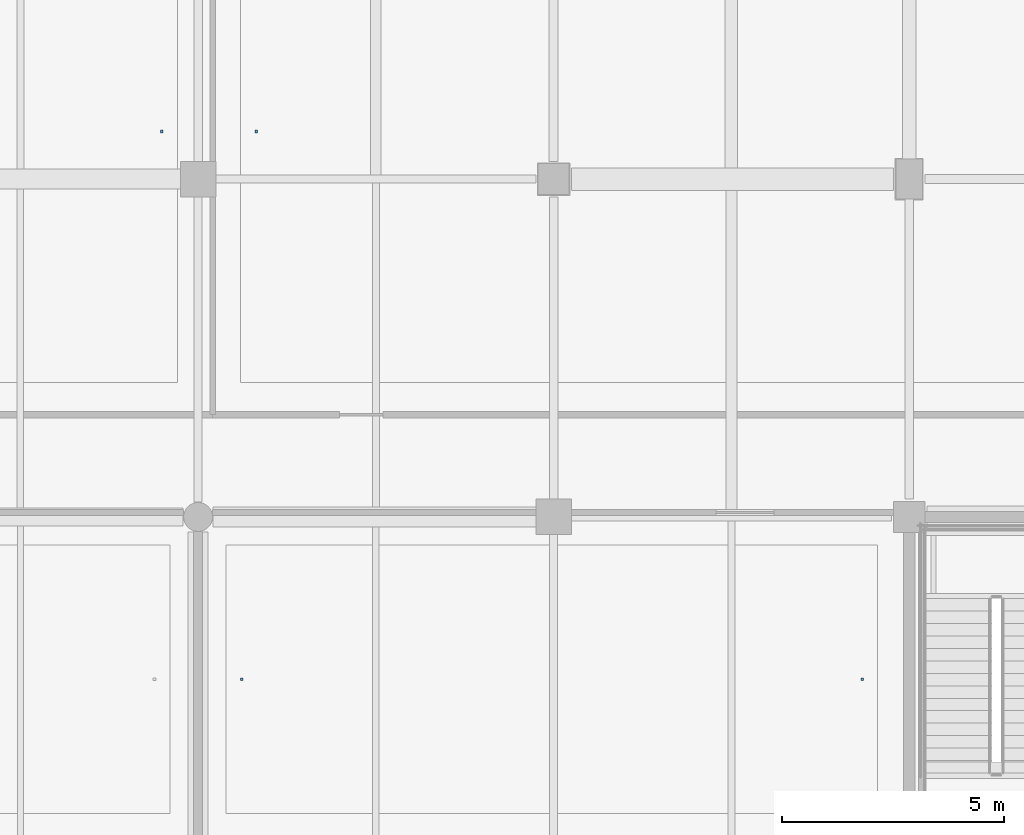
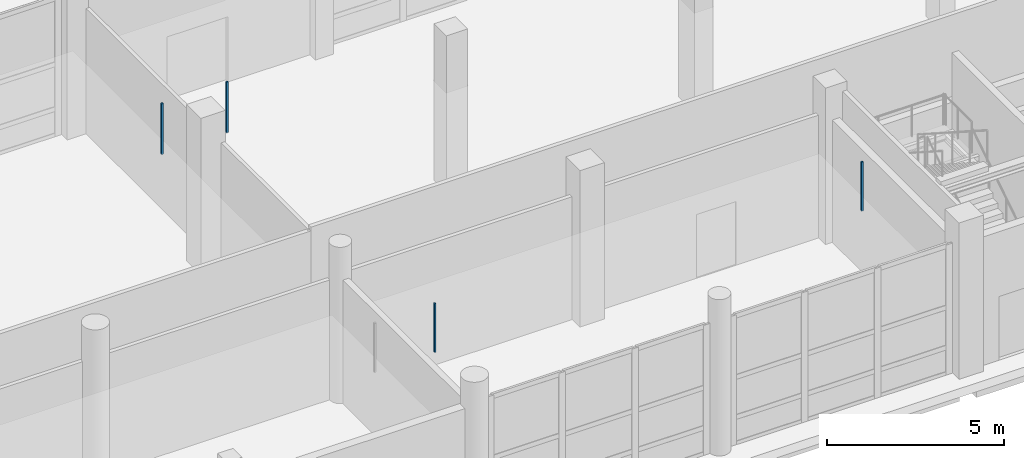
# One storey, part 83 of 126: 4 discrete accessories.
"""IFC4 building model written with IfcOpenShell, lengths in metres."""

from ifc_helpers import new_model, si_unit, direction, frame, origin, origin_2d, place, context, subcontext, project, spatial, rectangle, extrude, material, type_object, element, save


model = new_model("IFC4")

# Units and contexts
model_context = context("Model", 3, precision=1e-05, world=origin(), true_north=direction((0.0, 1.0)))
body_context = subcontext(model_context, "Body", "Model", "MODEL_VIEW")
ifc_project = project(units=[si_unit("LENGTHUNIT", "METRE"), si_unit("AREAUNIT", "SQUARE_METRE"), si_unit("VOLUMEUNIT", "CUBIC_METRE"), si_unit("PLANEANGLEUNIT", "RADIAN"), si_unit("MASSUNIT", "GRAM", prefix="KILO")], contexts=[model_context])

# Site, building, storey
site_placement = place(None, origin())
site = spatial("IfcSite", under=ifc_project, at=site_placement, CompositionType="ELEMENT")
building_placement = place(site_placement, origin())
building = spatial("IfcBuilding", under=site, at=building_placement, Name="Khelvaren Railside Concert Hall", CompositionType="ELEMENT")
storey_placement = place(building_placement, origin())
storey = spatial("IfcBuildingStorey", under=building, at=storey_placement, Name="L00", CompositionType="ELEMENT", Elevation=0.0)

# Discrete accessories
ifc_material = material(Name="Galvanised steel acoustic ceiling hanger rod", Category="steel")
discrete_accessory_type = type_object("IfcDiscreteAccessoryType", Name="BRK62", PredefinedType="BRACKET", material=ifc_material)
for number, where, z_axis, x_axis, name in (
    (1, (103.18505859375, 16.27490234375, 3.429931640625), (0.0, 0.0, 1.0), (1.0, 0.0, 0.0), "Acoustic Ceiling Suspension Bracket 69-2"),
    (2, (105.306884765625, 16.27490234375, 3.429931640625), (0.0, 0.0, 1.0), (1.0, 0.0, 0.0), "Acoustic Ceiling Suspension Bracket 70-1"),
):
    element("IfcDiscreteAccessory", number, at=place(storey_placement, frame(where, z_axis=z_axis, x_axis=x_axis)), inside=storey, type_object=discrete_accessory_type, Name=name, PredefinedType="BRACKET", context=body_context, shape_type="SweptSolid", body=[
        extrude(rectangle(XDim=0.06005859375, YDim=0.06005859375, at=origin_2d()), origin(), (0.0, 0.0, 1.0), 1.75),
    ])
for number, where, z_axis, x_axis, name in (
    (3, (104.97998046875, 3.949951171875, 3.429931640625), (0.0, 0.0, 1.0), (1.0, 0.0, 0.0), "Acoustic Ceiling Suspension Bracket 73-1"),
    (4, (118.93994140625, 3.949951171875, 3.429931640625), (0.0, 0.0, 1.0), (1.0, 0.0, 0.0), "Acoustic Ceiling Suspension Bracket 73-2"),
):
    element("IfcDiscreteAccessory", number, at=place(storey_placement, frame(where, z_axis=z_axis, x_axis=x_axis)), inside=storey, type_object=discrete_accessory_type, Name=name, PredefinedType="BRACKET", context=body_context, shape_type="SweptSolid", body=[
        extrude(rectangle(XDim=0.06005859375, YDim=0.06005859375, at=origin_2d()), origin(), (0.0, 0.0, 1.0), 1.68994140625),
    ])

save(model, "model.ifc")
